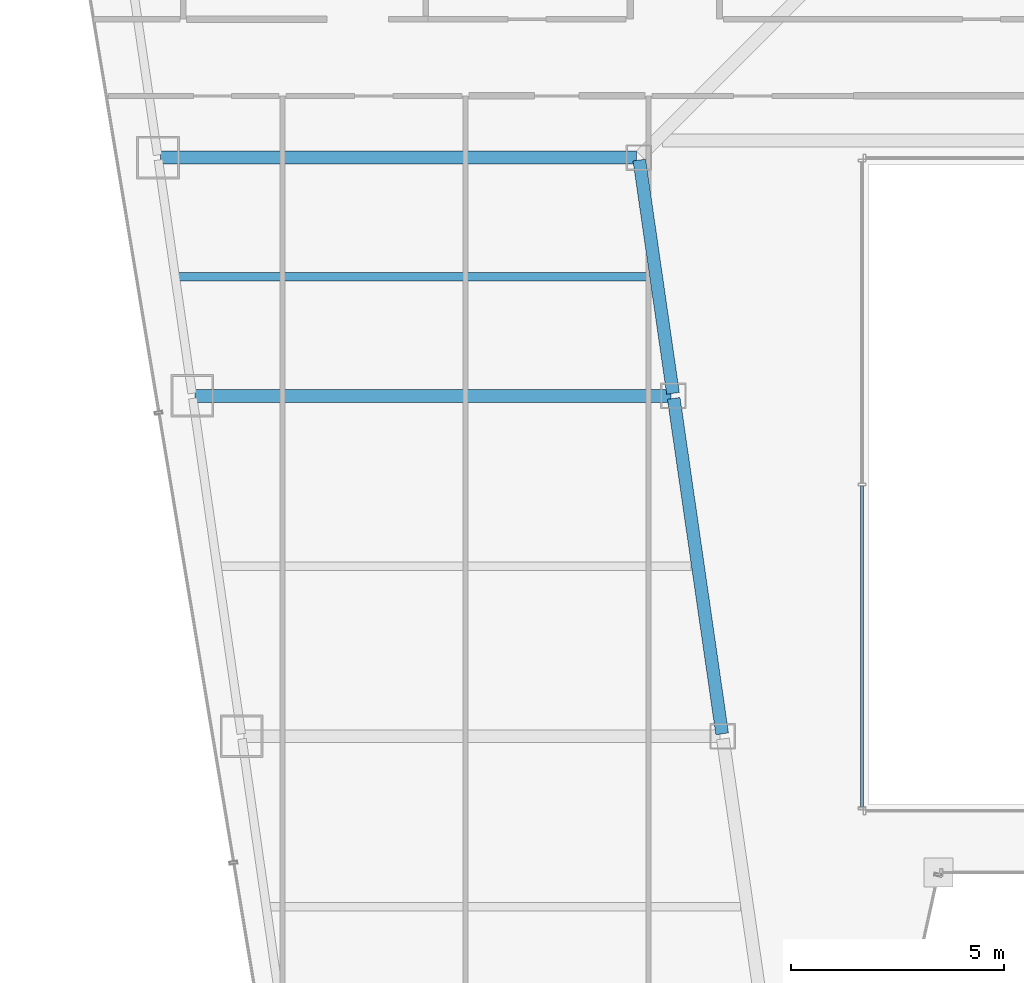
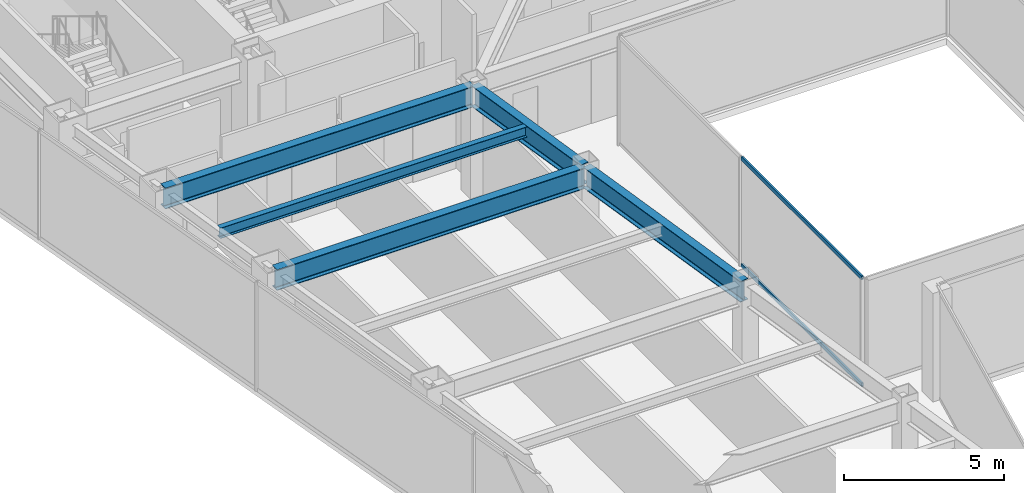
# One storey, part 10 of 37: 5 beams, 2 members, 1 element without a shape of its own.
"""IFC4 building model written with IfcOpenShell, lengths in metres."""

from ifc_helpers import new_model, si_unit, direction, frame, origin, origin_2d, place, context, subcontext, project, spatial, hollow_rectangle, i_section, extrude, material, material_profile, profile_set, type_object, element, aggregate, save


model = new_model("IFC4")

# Units and contexts
model_context = context("Model", 3, precision=1e-05, world=origin(), true_north=direction((0.0, 1.0)))
body_context = subcontext(model_context, "Body", "Model", "MODEL_VIEW")
ifc_project = project(units=[si_unit("LENGTHUNIT", "METRE"), si_unit("AREAUNIT", "SQUARE_METRE"), si_unit("VOLUMEUNIT", "CUBIC_METRE"), si_unit("PLANEANGLEUNIT", "RADIAN"), si_unit("MASSUNIT", "GRAM", prefix="KILO")], contexts=[model_context])

# Site, building, storey
site_placement = place(None, origin())
site = spatial("IfcSite", under=ifc_project, at=site_placement, CompositionType="ELEMENT")
building_placement = place(site_placement, origin())
building = spatial("IfcBuilding", under=site, at=building_placement, Name="Saevonmaru Cultural Tower", CompositionType="ELEMENT")
storey_placement = place(building_placement, frame((0.0, 0.0, 114.800048828125)))
storey = spatial("IfcBuildingStorey", under=building, at=storey_placement, Name="L24", CompositionType="ELEMENT", Elevation=114.800048828125)

# Beams
ifc_material_1 = material(Name="Steel SM420", Category="steel")
ifc_material_profile_1 = material_profile(ifc_material_1, i_section(OverallWidth=0.300048828125, OverallDepth=0.800048828125, WebThickness=0.013916015625, FlangeThickness=0.02587890625, FilletRadius=0.028076171875, at=origin_2d()), Name="H-800x300x14x26")
ifc_profile_set_1 = profile_set([ifc_material_profile_1], Name="Steel SM420")
beam_type_1 = type_object("IfcBeamType", Name="BM-G-H800", PredefinedType="BEAM", material=ifc_profile_set_1)
beam_1_placement = place(storey_placement, frame((20.763427734375, 24.059326171875, 3.75), z_axis=(-0.142902032203, 0.989736838353, 0.0), x_axis=(-0.989736838353, -0.142902032203, 0.0)))
element("IfcBeam", 1, at=beam_1_placement, inside=storey, type_object=beam_type_1, Name="L24 West Atrium Girder 3", PredefinedType="BEAM", context=body_context, shape_type="SweptSolid", body=[
    extrude(i_section(OverallWidth=0.300048828125, OverallDepth=0.800048828125, WebThickness=0.013916015625, FlangeThickness=0.02587890625, FilletRadius=0.028076171875, at=origin_2d()), origin(), (0.0, 0.0, 1.0), 7.963134765625),
])
beam_2_placement = place(storey_placement, frame((19.6083984375, 32.059326171875, 3.75), z_axis=(-0.142964121327, 0.989727871697, 0.0), x_axis=(-0.989727871697, -0.142964121327, 0.0)))
element("IfcBeam", 2, at=beam_2_placement, inside=storey, type_object=beam_type_1, Name="L24 West Atrium Girder 4", PredefinedType="BEAM", context=body_context, shape_type="SweptSolid", body=[
    extrude(i_section(OverallWidth=0.300048828125, OverallDepth=0.800048828125, WebThickness=0.013916015625, FlangeThickness=0.02587890625, FilletRadius=0.028076171875, at=origin_2d()), origin(), (0.0, 0.0, 1.0), 5.5380859375),
])
for number, where, z_axis, x_axis, name in (
    (3, (8.376953125, 32.0, 3.75), (1.0, 0.0, 0.0), (0.0, 1.0, 0.0), "L24 West Wing Transverse Girder 4"),
    (4, (7.568115234375, 37.60009765625, 3.75), (1.0, 0.0, 0.0), (0.0, 1.0, 0.0), "L24 West Wing Transverse Girder 5"),
):
    element("IfcBeam", number, at=place(storey_placement, frame(where, z_axis=z_axis, x_axis=x_axis)), inside=storey, type_object=beam_type_1, Name=name, PredefinedType="BEAM", context=body_context, shape_type="SweptSolid", body=[
        extrude(i_section(OverallWidth=0.300048828125, OverallDepth=0.800048828125, WebThickness=0.013916015625, FlangeThickness=0.02587890625, FilletRadius=0.028076171875, at=origin_2d()), origin(), (0.0, 0.0, 1.0), 11.179931640625),
    ])
ifc_material_2 = material(Name="Steel SM355", Category="steel")
ifc_material_profile_2 = material_profile(ifc_material_2, i_section(OverallWidth=0.199951171875, OverallDepth=0.39990234375, WebThickness=0.008056640625, FlangeThickness=0.012939453125, FilletRadius=0.01611328125, at=origin_2d()), Name="H-400x200x8x13")
ifc_profile_set_2 = profile_set([ifc_material_profile_2], Name="Steel SM355")
beam_type_2 = type_object("IfcBeamType", Name="BM-J-H400", PredefinedType="JOIST", material=ifc_profile_set_2)
beam_3_placement = place(storey_placement, frame((7.972412109375, 34.800048828125, 3.949951171875), z_axis=(1.0, 0.0, 0.0), x_axis=(0.0, 1.0, 0.0)))
element("IfcBeam", 5, at=beam_3_placement, inside=storey, type_object=beam_type_2, Name="L24 West Wing Floor Joist 4", PredefinedType="JOIST", context=body_context, shape_type="SweptSolid", body=[
    extrude(i_section(OverallWidth=0.199951171875, OverallDepth=0.39990234375, WebThickness=0.008056640625, FlangeThickness=0.012939453125, FilletRadius=0.01611328125, at=origin_2d()), origin(), (0.0, 0.0, 1.0), 11.08203125),
])

# Curtain wall, members
ifc_material_3 = material(Name="Satin Bronze Anodised Aluminium", Category="aluminium")
curtain_wall_type = type_object("IfcCurtainWallType", Name="CW-ATR-GLZ", PredefinedType="NOTDEFINED", material=ifc_material_3)
curtain_wall_placement = place(storey_placement, origin())
curtain_wall = element("IfcCurtainWall", 6, at=curtain_wall_placement, inside=storey, type_object=curtain_wall_type, Name="L24 Vertical Atrium Glazed Smoke Screen 4", PredefinedType="NOTDEFINED")
ifc_material_profile_3 = material_profile(ifc_material_3, hollow_rectangle(XDim=0.06494140625, YDim=0.14990234375, WallThickness=0.00390625, at=origin_2d()), Name="ALU-TRAN-150x65x4")
ifc_profile_set_3 = profile_set([ifc_material_profile_3], Name="Satin Bronze Anodised Aluminium")
member_type = type_object("IfcMemberType", Name="TR-CW-INT-150x65", PredefinedType="USERDEFINED", material=ifc_profile_set_3)
member_1_placement = place(storey_placement, frame((24.050048828125, 29.887451171875, 0.032470703125), z_axis=(0.0, -1.0, 0.0), x_axis=(1.0, 0.0, 0.0)))
member_1 = element("IfcMember", 7, at=member_1_placement, type_object=member_type, Name="CW-ATR-L24-4 transom 2.1", ObjectType="TRANSOM", PredefinedType="USERDEFINED", context=body_context, shape_type="SweptSolid", body=[
    extrude(hollow_rectangle(XDim=0.06494140625, YDim=0.14990234375, WallThickness=0.00390625, at=origin_2d()), origin(), (0.0, 0.0, 1.0), 7.544921875),
])
member_2_placement = place(storey_placement, frame((24.050048828125, 29.887451171875, 4.117431640625), z_axis=(0.0, -1.0, 0.0), x_axis=(1.0, 0.0, 0.0)))
member_2 = element("IfcMember", 8, at=member_2_placement, type_object=member_type, Name="CW-ATR-L24-4 transom 2.2", ObjectType="TRANSOM", PredefinedType="USERDEFINED", context=body_context, shape_type="SweptSolid", body=[
    extrude(hollow_rectangle(XDim=0.06494140625, YDim=0.14990234375, WallThickness=0.00390625, at=origin_2d()), origin(), (0.0, 0.0, 1.0), 7.544921875),
])
aggregate(curtain_wall, [member_1, member_2])

save(model, "model.ifc")
